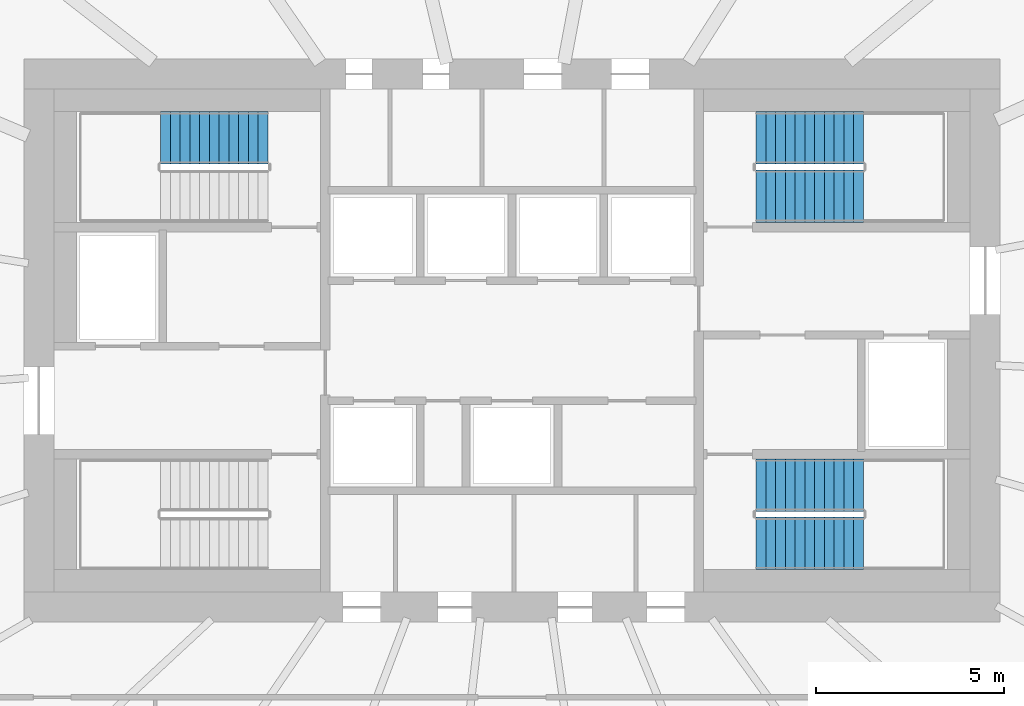
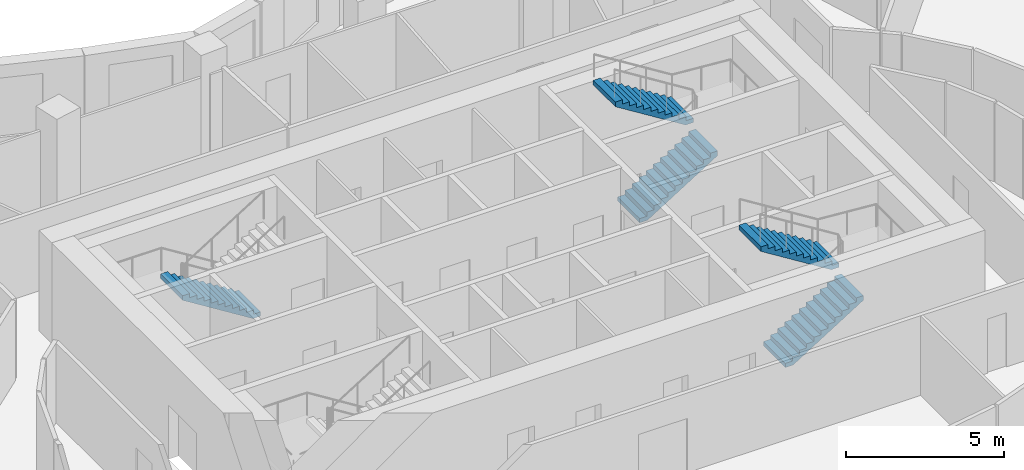
# One storey, part 10 of 11: 5 stair flights, 3 elements without a shape of their own.
"""IFC4 building model written with IfcOpenShell, lengths in metres."""

import ifcopenshell
import ifcopenshell.guid

model = None  # the IFC model being written
_history = None  # IfcOwnerHistory: only IFC2X3 demands one
_inside = {}  # id of a spatial element -> (the spatial element, [elements in it])
_under = {}  # id of a project, library or spatial element -> (it, [spatial elements below it])
_declared = {}  # id of a project -> (the project, [libraries it declares])
_typed = {}  # id of a type object -> (the type object, [elements of that type])
_made_of = {}  # id of a material, layer set ... -> (it, [elements and type objects made of it])


def new_model(schema):
    """Start an empty IFC model of exactly this schema.

    Asked for "IFC4X3", IfcOpenShell would pick the latest addendum, in which some entities
    have other attributes; the version numbers below select the first issue.
    IFC2X3 requires an IfcOwnerHistory on every rooted entity: one is made here for all.
    """
    global model, _history
    if schema == "IFC4X3":
        model = ifcopenshell.file(schema_version=(4, 3, 0, 0))
    else:
        model = ifcopenshell.file(schema=schema)
    _inside.clear()
    _under.clear()
    _declared.clear()
    _typed.clear()
    _made_of.clear()
    _history = None
    if model.schema == "IFC2X3":
        org = make("IfcOrganization", Name="unknown")
        user = make(
            "IfcPersonAndOrganization",
            ThePerson=make("IfcPerson", FamilyName="unknown"),
            TheOrganization=org,
        )
        app = make(
            "IfcApplication",
            ApplicationDeveloper=org,
            Version="unknown",
            ApplicationFullName="unknown",
            ApplicationIdentifier="unknown",
        )
        _history = make(
            "IfcOwnerHistory",
            OwningUser=user,
            OwningApplication=app,
            ChangeAction="ADDED",
            CreationDate=0,
        )
    return model


def make(cls, **values):
    """One entity of the class cls with the attributes given. An attribute that is None is left unset."""
    return model.create_entity(
        cls, **{name: value for name, value in values.items() if value is not None}
    )


def rooted(cls, **values):
    """An entity with a GlobalId (a new one), such as an element, a storey or a relation."""
    return make(cls, GlobalId=ifcopenshell.guid.new(), OwnerHistory=_history, **values)


def si_unit(unit_type, name, prefix=None):
    """IfcSIUnit, for example si_unit("LENGTHUNIT", "METRE", prefix="MILLI")."""
    return make("IfcSIUnit", UnitType=unit_type, Prefix=prefix, Name=name)


def assignment(units):
    """IfcUnitAssignment: the units of a project."""
    return None if units is None else make("IfcUnitAssignment", Units=units)


def point(xyz):
    """IfcCartesianPoint."""
    return None if xyz is None else make("IfcCartesianPoint", Coordinates=xyz)


def direction(xyz):
    """IfcDirection."""
    return None if xyz is None else make("IfcDirection", DirectionRatios=xyz)


def frame(location, z_axis=None, x_axis=None):
    """IfcAxis2Placement3D, a coordinate frame: its origin and axes. An axis left out is left unset."""
    return make(
        "IfcAxis2Placement3D",
        Location=point(location),
        Axis=direction(z_axis),
        RefDirection=direction(x_axis),
    )


def origin():
    """The frame at (0, 0, 0) with its axes left unset."""
    return frame((0.0, 0.0, 0.0))


def place(relative_to, where):
    """IfcLocalPlacement: puts the frame where relative to a parent placement (None: the world)."""
    return make(
        "IfcLocalPlacement", PlacementRelTo=relative_to, RelativePlacement=where
    )


def context(
    kind, dimensions, precision=None, world=None, true_north=None, identifier=None
):
    """IfcGeometricRepresentationContext, for example the 3D "Model" context."""
    return make(
        "IfcGeometricRepresentationContext",
        ContextIdentifier=identifier,
        ContextType=kind,
        CoordinateSpaceDimension=dimensions,
        Precision=precision,
        WorldCoordinateSystem=world,
        TrueNorth=true_north,
    )


def subcontext(parent, identifier, kind, view, scale=None):
    """IfcGeometricRepresentationSubContext, for example "Body" below "Model"."""
    return make(
        "IfcGeometricRepresentationSubContext",
        ContextIdentifier=identifier,
        ContextType=kind,
        ParentContext=parent,
        TargetScale=scale,
        TargetView=view,
    )


def project(units=None, contexts=None):
    """IfcProject with its units and contexts."""
    return rooted(
        "IfcProject",
        Name="project",
        RepresentationContexts=contexts,
        UnitsInContext=assignment(units),
    )


def spatial(cls, under=None, at=None, **own):
    """A site, building, storey or space (cls), placed at a placement, below another one or the project."""
    s = rooted(cls, ObjectPlacement=at, **own)
    if under is not None:
        _under.setdefault(under.id(), (under, []))[1].append(s)
    return s


def polyline(points):
    """IfcPolyline through the points."""
    return make("IfcPolyline", Points=[point(p) for p in points])


def outline(outer, holes=None, kind="AREA"):
    """IfcArbitraryClosedProfileDef: a profile drawn as a closed curve; with holes, ...WithVoids."""
    if holes is None:
        return make("IfcArbitraryClosedProfileDef", ProfileType=kind, OuterCurve=outer)
    return make(
        "IfcArbitraryProfileDefWithVoids",
        ProfileType=kind,
        OuterCurve=outer,
        InnerCurves=holes,
    )


def extrude(swept, where, along, depth):
    """IfcExtrudedAreaSolid: the profile swept, set in the frame where, extruded along a direction by depth."""
    return make(
        "IfcExtrudedAreaSolid",
        SweptArea=swept,
        Position=where,
        ExtrudedDirection=direction(along),
        Depth=depth,
    )


def shape(context_of_items, identifier, shape_type, items):
    """IfcShapeRepresentation: the items that make up one representation, for example the "Body"."""
    return make(
        "IfcShapeRepresentation",
        ContextOfItems=context_of_items,
        RepresentationIdentifier=identifier,
        RepresentationType=shape_type,
        Items=items,
    )


def material(Name=None, Category=None):
    """IfcMaterial."""
    return make("IfcMaterial", Name=Name, Category=Category)


def made_of(thing, what):
    """Note that an element or type object is made of a material, layer set ...; save() writes the relation."""
    if what is not None:
        _made_of.setdefault(what.id(), (what, []))[1].append(thing)
    return thing


def type_object(cls, material=None, **own):
    """A type object (cls), such as IfcWallType, which elements share."""
    return made_of(rooted(cls, **own), material)


def element(
    cls,
    number,
    at=None,
    inside=None,
    cuts=None,
    type_object=None,
    material=None,
    context=None,
    identifier="Body",
    shape_type=None,
    held_by="IfcProductDefinitionShape",
    body=None,
    shapes=None,
    **own,
):
    """One element of the class cls, such as IfcWall. Its Tag is "e" and its number.

    at: its placement. inside: the storey or other place that contains it. cuts: it is an
    opening in that element (IfcRelVoidsElement). A single representation is given by context,
    identifier, shape_type and body (its items); several are given by shapes. held_by: the class
    of the entity that holds the representations. save() writes the other relations.
    """
    e = rooted(cls, Tag="e%d" % number, ObjectPlacement=at, **own)
    if body is not None:
        shapes = [shape(context, identifier, shape_type, body)]
    if shapes is not None:
        e.Representation = make(held_by, Representations=shapes)
    if inside is not None:
        _inside.setdefault(inside.id(), (inside, []))[1].append(e)
    if cuts is not None:
        rooted(
            "IfcRelVoidsElement", RelatingBuildingElement=cuts, RelatedOpeningElement=e
        )
    if type_object is not None:
        _typed.setdefault(type_object.id(), (type_object, []))[1].append(e)
    return made_of(e, material)


def aggregate(whole, parts):
    """IfcRelAggregates: a whole, such as a stair, and the parts it consists of."""
    return rooted("IfcRelAggregates", RelatingObject=whole, RelatedObjects=parts)


def save(model, path):
    """Write the relations noted so far, then the file.

    IfcRelAggregates (storeys below a building ...), IfcRelContainedInSpatialStructure (elements
    in a storey), IfcRelDefinesByType, IfcRelAssociatesMaterial and IfcRelDeclares: one each for
    every whole, place, type object, material and project.
    """
    for whole, parts in _under.values():
        aggregate(whole, parts)
    for where, things in _inside.values():
        rooted(
            "IfcRelContainedInSpatialStructure",
            RelatedElements=things,
            RelatingStructure=where,
        )
    for kind, things in _typed.values():
        rooted("IfcRelDefinesByType", RelatedObjects=things, RelatingType=kind)
    for what, things in _made_of.values():
        rooted("IfcRelAssociatesMaterial", RelatedObjects=things, RelatingMaterial=what)
    for by, libraries in _declared.values():
        rooted("IfcRelDeclares", RelatingContext=by, RelatedDefinitions=libraries)
    model.write(path)


model = new_model("IFC4")

# Units and contexts
model_context = context("Model", 3, precision=1e-05, world=origin(), true_north=direction((0.0, 1.0)))
body_context = subcontext(model_context, "Body", "Model", "MODEL_VIEW")
ifc_project = project(units=[si_unit("LENGTHUNIT", "METRE"), si_unit("AREAUNIT", "SQUARE_METRE"), si_unit("VOLUMEUNIT", "CUBIC_METRE"), si_unit("PLANEANGLEUNIT", "RADIAN"), si_unit("MASSUNIT", "GRAM", prefix="KILO")], contexts=[model_context])

# Site, building, storey
site_placement = place(None, origin())
site = spatial("IfcSite", under=ifc_project, at=site_placement, CompositionType="ELEMENT")
building_placement = place(site_placement, origin())
building = spatial("IfcBuilding", under=site, at=building_placement, Name="Rubra Terraces Tower", CompositionType="ELEMENT")
storey_placement = place(building_placement, frame((0.0, 0.0, 237.0)))
storey = spatial("IfcBuildingStorey", under=building, at=storey_placement, Name="L58", CompositionType="ELEMENT", Elevation=237.0)

# Stair, stair flight
ifc_material = material(Name="Concrete C40", Category="concrete")
stair_type = type_object("IfcStairType", Name="Core stair 1400", PredefinedType="HALF_TURN_STAIR", material=ifc_material)
stair_1_placement = place(storey_placement, origin())
stair_1 = element("IfcStair", 1, at=stair_1_placement, inside=storey, type_object=stair_type, Name="L58 Exit stair S2", PredefinedType="HALF_TURN_STAIR")
stair_flight_type = type_object("IfcStairFlightType", Name="Core stair flight 1400", PredefinedType="STRAIGHT", material=ifc_material)
stair_flight_1_placement = place(storey_placement, frame((-6.5, 9.89990234375, 0.0), z_axis=(0.0, 0.0, 1.0), x_axis=(-1.0, 0.0, 0.0)))
stair_flight_1 = element("IfcStairFlight", 2, at=stair_flight_1_placement, type_object=stair_flight_type, Name="S2 flight 1", NumberOfRisers=12, NumberOfTreads=11, PredefinedType="STRAIGHT", RiserHeight=0.1625, TreadLength=0.26, context=body_context, shape_type="SweptSolid", body=[
    extrude(outline(polyline([(0.0, 0.0), (0.0, 0.16259765625), (0.260009765625, 0.16259765625), (0.260009765625, 0.324951171875), (0.52001953125, 0.324951171875), (0.52001953125, 0.487548828125), (0.780029296875, 0.487548828125), (0.780029296875, 0.64990234375), (1.0400390625, 0.64990234375), (1.0400390625, 0.8125), (1.300048828125, 0.8125), (1.300048828125, 0.97509765625), (1.56005859375, 0.97509765625), (1.56005859375, 1.137451171875), (1.820068359375, 1.137451171875), (1.820068359375, 1.300048828125), (2.080078125, 1.300048828125), (2.080078125, 1.46240234375), (2.340087890625, 1.46240234375), (2.340087890625, 1.625), (2.60009765625, 1.625), (2.60009765625, 1.78759765625), (2.860107421875, 1.78759765625), (2.860107421875, 1.949951171875), (2.860107421875, 1.61083984375), (0.28271484375, 0.0), (0.0, 0.0)])), frame((0.0, 0.699951171875, 0.0), z_axis=(0.0, -1.0, 0.0), x_axis=(1.0, 0.0, 0.0)), (0.0, 0.0, 1.0), 1.39990234375),
])
aggregate(stair_1, [stair_flight_1])

# Stair, stair flights
stair_2_placement = place(storey_placement, origin())
stair_2 = element("IfcStair", 3, at=stair_2_placement, inside=storey, type_object=stair_type, Name="L58 Exit stair S3", PredefinedType="HALF_TURN_STAIR")
stair_flight_2_placement = place(storey_placement, frame((6.5, 8.35009765625, 0.0), z_axis=(0.0, 0.0, 1.0), x_axis=(1.0, 0.0, 0.0)))
stair_flight_2 = element("IfcStairFlight", 4, at=stair_flight_2_placement, type_object=stair_flight_type, Name="S3 flight 1", NumberOfRisers=12, NumberOfTreads=11, PredefinedType="STRAIGHT", RiserHeight=0.1625, TreadLength=0.26, context=body_context, shape_type="SweptSolid", body=[
    extrude(outline(polyline([(0.0, 0.0), (0.0, 0.16259765625), (0.260009765625, 0.16259765625), (0.260009765625, 0.324951171875), (0.52001953125, 0.324951171875), (0.52001953125, 0.487548828125), (0.780029296875, 0.487548828125), (0.780029296875, 0.64990234375), (1.0400390625, 0.64990234375), (1.0400390625, 0.8125), (1.300048828125, 0.8125), (1.300048828125, 0.97509765625), (1.56005859375, 0.97509765625), (1.56005859375, 1.137451171875), (1.820068359375, 1.137451171875), (1.820068359375, 1.300048828125), (2.080078125, 1.300048828125), (2.080078125, 1.46240234375), (2.340087890625, 1.46240234375), (2.340087890625, 1.625), (2.60009765625, 1.625), (2.60009765625, 1.78759765625), (2.860107421875, 1.78759765625), (2.860107421875, 1.949951171875), (2.860107421875, 1.61083984375), (0.28271484375, 0.0), (0.0, 0.0)])), frame((0.0, 0.699951171875, 0.0), z_axis=(0.0, -1.0, 0.0), x_axis=(1.0, 0.0, 0.0)), (0.0, 0.0, 1.0), 1.39990234375),
])
stair_flight_3_placement = place(storey_placement, frame((9.360107421875, 9.89990234375, 1.949951171875), z_axis=(0.0, 0.0, 1.0), x_axis=(-1.0, 0.0, 0.0)))
stair_flight_3 = element("IfcStairFlight", 5, at=stair_flight_3_placement, type_object=stair_flight_type, Name="S3 flight 2", NumberOfRisers=12, NumberOfTreads=11, PredefinedType="STRAIGHT", RiserHeight=0.1625, TreadLength=0.26, context=body_context, shape_type="SweptSolid", body=[
    extrude(outline(polyline([(0.0, 0.0), (0.0, 0.16259765625), (0.260009765625, 0.16259765625), (0.260009765625, 0.324951171875), (0.52001953125, 0.324951171875), (0.52001953125, 0.487548828125), (0.780029296875, 0.487548828125), (0.780029296875, 0.64990234375), (1.0400390625, 0.64990234375), (1.0400390625, 0.8125), (1.300048828125, 0.8125), (1.300048828125, 0.97509765625), (1.56005859375, 0.97509765625), (1.56005859375, 1.137451171875), (1.820068359375, 1.137451171875), (1.820068359375, 1.300048828125), (2.080078125, 1.300048828125), (2.080078125, 1.46240234375), (2.340087890625, 1.46240234375), (2.340087890625, 1.625), (2.60009765625, 1.625), (2.60009765625, 1.78759765625), (2.860107421875, 1.78759765625), (2.860107421875, 1.949951171875), (2.860107421875, 1.61083984375), (0.28271484375, 0.0), (0.0, 0.0)])), frame((0.0, 0.699951171875, 0.0), z_axis=(0.0, -1.0, 0.0), x_axis=(1.0, 0.0, 0.0)), (0.0, 0.0, 1.0), 1.39990234375),
])
aggregate(stair_2, [stair_flight_2, stair_flight_3])

stair_3_placement = place(storey_placement, origin())
stair_3 = element("IfcStair", 6, at=stair_3_placement, inside=storey, type_object=stair_type, Name="L58 Exit stair S4", PredefinedType="HALF_TURN_STAIR")
stair_flight_4_placement = place(storey_placement, frame((6.5, -0.89990234375, 0.0), z_axis=(0.0, 0.0, 1.0), x_axis=(1.0, 0.0, 0.0)))
stair_flight_4 = element("IfcStairFlight", 7, at=stair_flight_4_placement, type_object=stair_flight_type, Name="S4 flight 1", NumberOfRisers=12, NumberOfTreads=11, PredefinedType="STRAIGHT", RiserHeight=0.1625, TreadLength=0.26, context=body_context, shape_type="SweptSolid", body=[
    extrude(outline(polyline([(0.0, 0.0), (0.0, 0.16259765625), (0.260009765625, 0.16259765625), (0.260009765625, 0.324951171875), (0.52001953125, 0.324951171875), (0.52001953125, 0.487548828125), (0.780029296875, 0.487548828125), (0.780029296875, 0.64990234375), (1.0400390625, 0.64990234375), (1.0400390625, 0.8125), (1.300048828125, 0.8125), (1.300048828125, 0.97509765625), (1.56005859375, 0.97509765625), (1.56005859375, 1.137451171875), (1.820068359375, 1.137451171875), (1.820068359375, 1.300048828125), (2.080078125, 1.300048828125), (2.080078125, 1.46240234375), (2.340087890625, 1.46240234375), (2.340087890625, 1.625), (2.60009765625, 1.625), (2.60009765625, 1.78759765625), (2.860107421875, 1.78759765625), (2.860107421875, 1.949951171875), (2.860107421875, 1.61083984375), (0.28271484375, 0.0), (0.0, 0.0)])), frame((0.0, 0.699951171875, 0.0), z_axis=(0.0, -1.0, 0.0), x_axis=(1.0, 0.0, 0.0)), (0.0, 0.0, 1.0), 1.39990234375),
])
stair_flight_5_placement = place(storey_placement, frame((9.360107421875, 0.64990234375, 1.949951171875), z_axis=(0.0, 0.0, 1.0), x_axis=(-1.0, 0.0, 0.0)))
stair_flight_5 = element("IfcStairFlight", 8, at=stair_flight_5_placement, type_object=stair_flight_type, Name="S4 flight 2", NumberOfRisers=12, NumberOfTreads=11, PredefinedType="STRAIGHT", RiserHeight=0.1625, TreadLength=0.26, context=body_context, shape_type="SweptSolid", body=[
    extrude(outline(polyline([(0.0, 0.0), (0.0, 0.16259765625), (0.260009765625, 0.16259765625), (0.260009765625, 0.324951171875), (0.52001953125, 0.324951171875), (0.52001953125, 0.487548828125), (0.780029296875, 0.487548828125), (0.780029296875, 0.64990234375), (1.0400390625, 0.64990234375), (1.0400390625, 0.8125), (1.300048828125, 0.8125), (1.300048828125, 0.97509765625), (1.56005859375, 0.97509765625), (1.56005859375, 1.137451171875), (1.820068359375, 1.137451171875), (1.820068359375, 1.300048828125), (2.080078125, 1.300048828125), (2.080078125, 1.46240234375), (2.340087890625, 1.46240234375), (2.340087890625, 1.625), (2.60009765625, 1.625), (2.60009765625, 1.78759765625), (2.860107421875, 1.78759765625), (2.860107421875, 1.949951171875), (2.860107421875, 1.61083984375), (0.28271484375, 0.0), (0.0, 0.0)])), frame((0.0, 0.699951171875, 0.0), z_axis=(0.0, -1.0, 0.0), x_axis=(1.0, 0.0, 0.0)), (0.0, 0.0, 1.0), 1.39990234375),
])
aggregate(stair_3, [stair_flight_4, stair_flight_5])

save(model, "model.ifc")
